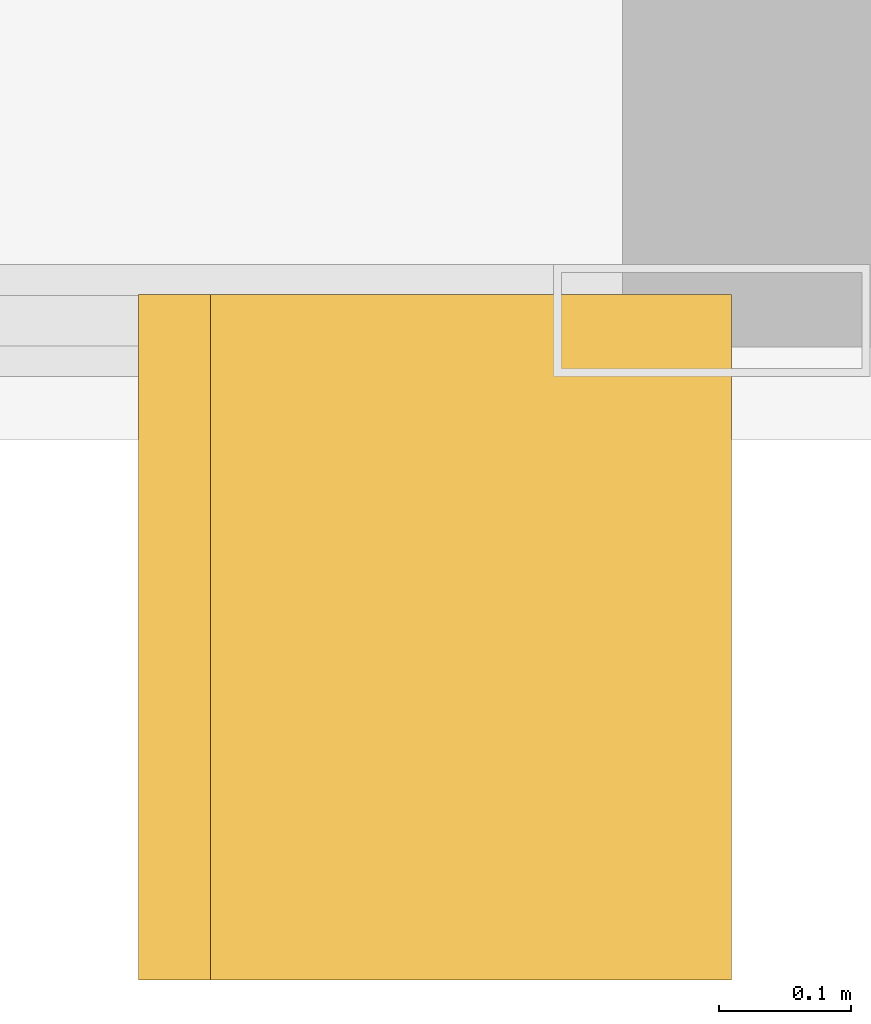
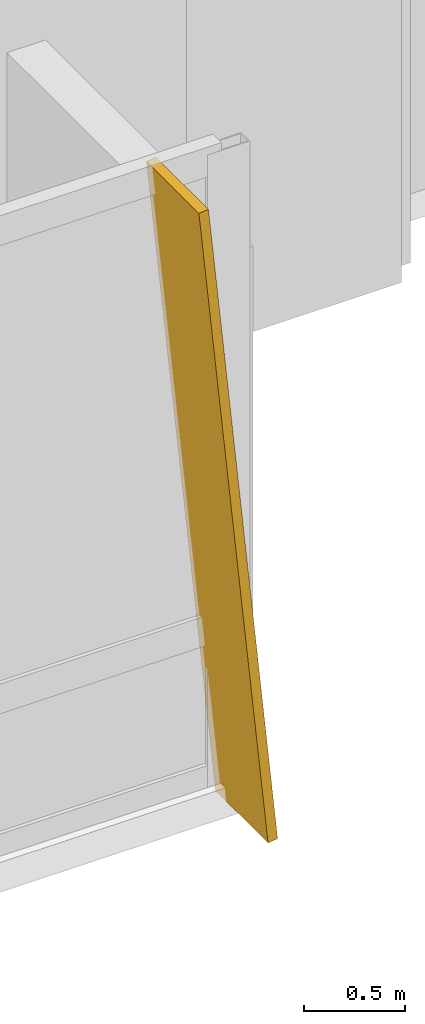
# One storey, part 32 of 32: 1 shading device.
"""IFC4 building model written with IfcOpenShell, lengths in metres."""

from ifc_helpers import new_model, si_unit, direction, frame, origin, place, context, subcontext, project, spatial, polyline, outline, extrude, material, layer, layer_set, type_object, element, save


model = new_model("IFC4")

# Units and contexts
model_context = context("Model", 3, precision=1e-05, world=origin(), true_north=direction((0.0, 1.0)))
body_context = subcontext(model_context, "Body", "Model", "MODEL_VIEW")
ifc_project = project(units=[si_unit("LENGTHUNIT", "METRE"), si_unit("AREAUNIT", "SQUARE_METRE"), si_unit("VOLUMEUNIT", "CUBIC_METRE"), si_unit("PLANEANGLEUNIT", "RADIAN"), si_unit("MASSUNIT", "GRAM", prefix="KILO")], contexts=[model_context])

# Site, building, storey
site_placement = place(None, origin())
site = spatial("IfcSite", under=ifc_project, at=site_placement, CompositionType="ELEMENT")
building_placement = place(site_placement, origin())
building = spatial("IfcBuilding", under=site, at=building_placement, Name="Khoronbel Lancet Exchange", CompositionType="ELEMENT")
storey_placement = place(building_placement, frame((0.0, 0.0, 29.800048828125)))
storey = spatial("IfcBuildingStorey", under=building, at=storey_placement, Name="L06", CompositionType="ELEMENT", Elevation=29.800048828125)

# Shading device
ifc_material = material(Name="Bronze-Anodised Aluminium 6063-T6", Category="aluminium")
ifc_layer = layer(ifc_material, 0.054931640625, Name="Bronze-Anodised Aluminium 6063-T6")
ifc_layer_set = layer_set([ifc_layer], Name="Bronze-Anodised Aluminium 6063-T6")
shading_device_type = type_object("IfcShadingDeviceType", Name="SHD-FIN1", PredefinedType="USERDEFINED", material=ifc_layer_set)
shading_device_placement = place(storey_placement, frame((67.9326171875, 7.31005859375, -0.080078125), z_axis=(0.995011517869, 0.0, 0.099760108806), x_axis=(0.0, -1.0, 0.0)))
element("IfcShadingDevice", 1, at=shading_device_placement, inside=storey, type_object=shading_device_type, Name="Slanted bronze solar fin CW-L06-SEV-1", ObjectType="FIN", PredefinedType="USERDEFINED", context=body_context, shape_type="SweptSolid", body=[
    extrude(outline(polyline([(0.0, 0.0), (0.52001953125, 0.0), (0.52001953125, -3.959716796875), (0.0, -3.959716796875), (0.0, 0.0)])), origin(), (0.0, 0.0, -1.0), 0.054931640625),
])

save(model, "model.ifc")
